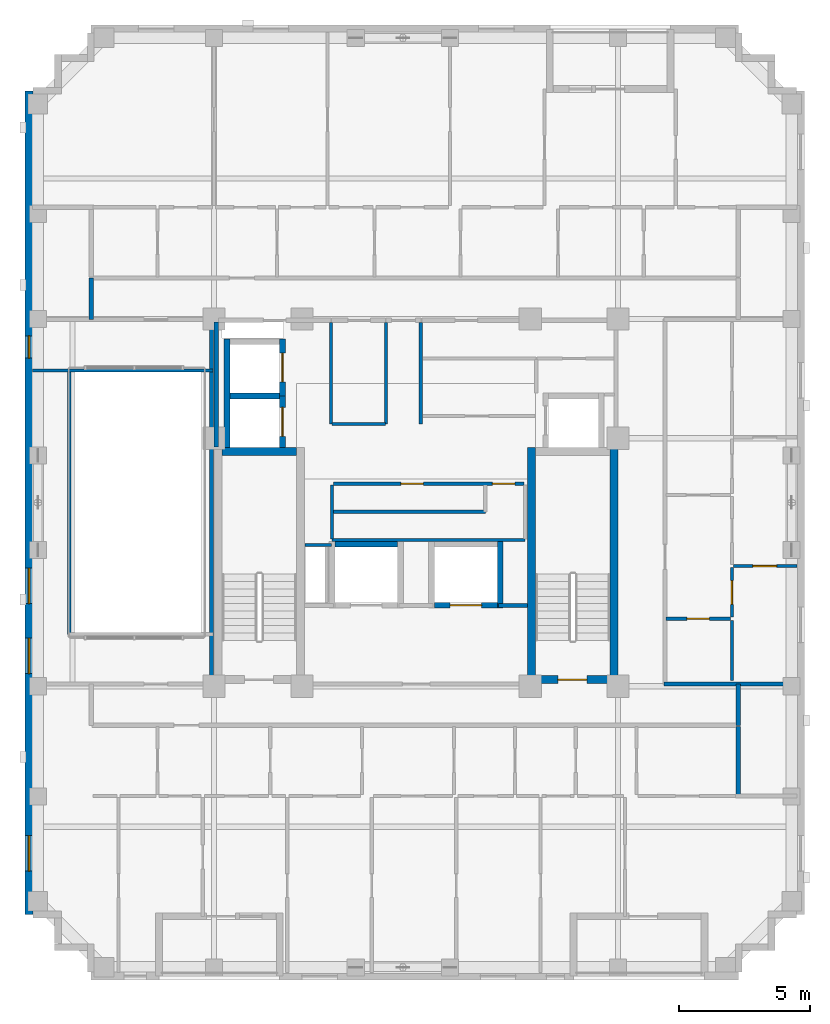
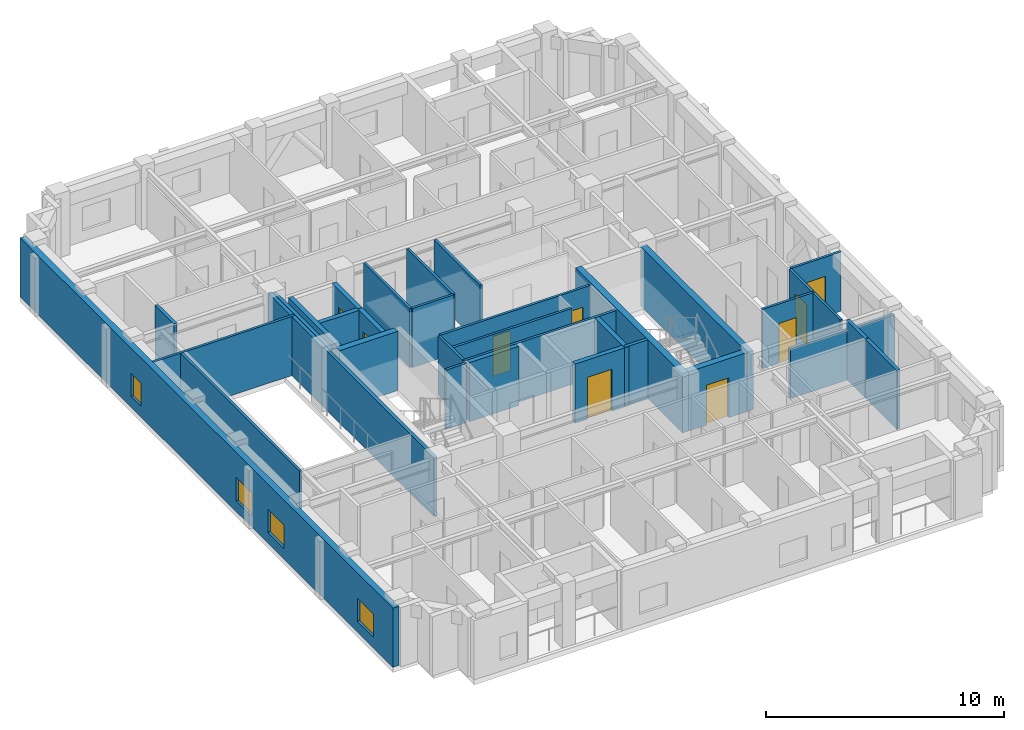
# One storey, part 6 of 13: 34 walls, 9 doors, 4 windows, 13 openings.
"""IFC4 building model written with IfcOpenShell, lengths in metres."""

from ifc_helpers import new_model, si_unit, derived_unit, direction, frame, frame_2d, origin, place, context, subcontext, project, spatial, rectangle, extrude, material, layer, layer_set, type_object, element, fill, save


model = new_model("IFC4")

# Units and contexts
model_context = context("Model", 3, precision=1e-05, world=origin(), true_north=direction((0.0, 1.0)))
body_context = subcontext(model_context, "Body", "Model", "MODEL_VIEW")
ifc_project = project(units=[si_unit("LENGTHUNIT", "METRE"), si_unit("AREAUNIT", "SQUARE_METRE"), si_unit("VOLUMEUNIT", "CUBIC_METRE"), si_unit("PLANEANGLEUNIT", "RADIAN"), si_unit("MASSUNIT", "GRAM", prefix="KILO"), derived_unit("THERMALTRANSMITTANCEUNIT", [(si_unit("MASSUNIT", "GRAM", prefix="KILO"), 1), (si_unit("TIMEUNIT", "SECOND"), -3), (si_unit("THERMODYNAMICTEMPERATUREUNIT", "KELVIN"), -1)])], contexts=[model_context])

# Site, building, storey
site_placement = place(None, origin())
site = spatial("IfcSite", under=ifc_project, at=site_placement, CompositionType="ELEMENT")
building_placement = place(site_placement, origin())
building = spatial("IfcBuilding", under=site, at=building_placement, Name="Korrvale Station Residences", CompositionType="ELEMENT")
storey_placement = place(building_placement, frame((0.0, 0.0, 181.0)))
storey = spatial("IfcBuildingStorey", under=building, at=storey_placement, Name="L52", CompositionType="ELEMENT", Elevation=181.0)

# Walls
ifc_material_1 = material(Name="Concrete C50/60", Category="concrete")
ifc_layer_1 = layer(ifc_material_1, 0.300048828125, Name="Concrete C50/60")
ifc_layer_set_1 = layer_set([ifc_layer_1], Name="Concrete C50/60")
wall_type_1 = type_object("IfcWallType", Name="WAL-CORE-300-C50", PredefinedType="SHEAR", material=ifc_layer_set_1)
wall_1_placement = place(storey_placement, frame((18.10009765625, 23.949951171875, 0.0), z_axis=(0.0, 0.0, 1.0), x_axis=(1.0, 0.0, 0.0)))
element("IfcWall", 1, at=wall_1_placement, inside=storey, type_object=wall_type_1, Name="L52 ST-1 Core Shear Wall North", PredefinedType="SHEAR", context=body_context, shape_type="SweptSolid", body=[
    extrude(rectangle(XDim=2.849853515625, YDim=0.300048828125, at=frame_2d((1.4248046875, 0.0))), origin(), (0.0, 0.0, 1.0), 3.0400390625),
])
for number, where, z_axis, x_axis, name in (
    (2, (29.89990234375, 15.10009765625, 0.0), (0.0, 0.0, 1.0), (0.0, 1.0, 0.0), "L52 ST-2 Core Shear Wall West"),
    (3, (33.050048828125, 15.10009765625, 0.0), (0.0, 0.0, 1.0), (0.0, 1.0, 0.0), "L52 ST-2 Core Shear Wall East"),
):
    element("IfcWall", number, at=place(storey_placement, frame(where, z_axis=z_axis, x_axis=x_axis)), inside=storey, type_object=wall_type_1, Name=name, PredefinedType="SHEAR", context=body_context, shape_type="SweptSolid", body=[
        extrude(rectangle(XDim=9.0, YDim=0.300048828125, at=frame_2d((4.5, 0.0))), origin(), (0.0, 0.0, 1.0), 3.0400390625),
    ])

# Wall, opening, door
wall_2_placement = place(storey_placement, frame((30.050048828125, 15.25, 0.0), z_axis=(0.0, 0.0, 1.0), x_axis=(1.0, 0.0, 0.0)))
wall_2 = element("IfcWall", 4, at=wall_2_placement, inside=storey, type_object=wall_type_1, Name="L52 ST-2 Core Shear Wall South", PredefinedType="SHEAR", context=body_context, shape_type="SweptSolid", body=[
    extrude(rectangle(XDim=2.849853515625, YDim=0.300048828125, at=frame_2d((1.4248046875, 0.0))), origin(), (0.0, 0.0, 1.0), 3.0400390625),
])
opening_1_placement = place(wall_2_placement, frame((0.860107421875, 0.0, 0.0)))
opening_1 = element("IfcOpeningElement", 5, at=opening_1_placement, cuts=wall_2, Name="Opening SD-1100", PredefinedType="OPENING", context=body_context, shape_type="SweptSolid", body=[
    extrude(rectangle(XDim=1.10009765625, YDim=2.050048828125, at=frame_2d((0.550048828125, 1.02490234375))), frame((0.0, 0.16015625, 0.0), z_axis=(0.0, -1.0, 0.0), x_axis=(1.0, 0.0, 0.0)), (0.0, 0.0, 1.0), 0.320068359375),
])
ifc_material_2 = material(Name="Hollow-metal fire-rated stair door with closer", Category="steel")
door_type_1 = type_object("IfcDoorType", Name="DR-STAIR-1100", OperationType="NOTDEFINED", PredefinedType="DOOR", material=ifc_material_2)
door_1_placement = place(opening_1_placement, origin())
door_1 = element("IfcDoor", 6, at=door_1_placement, inside=storey, type_object=door_type_1, Name="L52 ST-2 Exit Stair Door", OperationType="SINGLE_SWING_RIGHT", OverallHeight=2.050048828125, OverallWidth=1.10009765625, PredefinedType="DOOR", context=body_context, shape_type="SweptSolid", body=[
    extrude(rectangle(XDim=1.10009765625, YDim=2.050048828125, at=frame_2d((0.550048828125, 1.02490234375))), frame((0.0, 0.02490234375, 0.0), z_axis=(0.0, -1.0, 0.0), x_axis=(1.0, 0.0, 0.0)), (0.0, 0.0, 1.0), 0.050048828125),
])
fill(opening_1, door_1)

# Wall, openings, windows
ifc_material_3 = material(Name="Precast concrete C45/55", Category="concrete")
ifc_layer_2 = layer(ifc_material_3, 0.300048828125, Name="Precast concrete C45/55")
ifc_layer_set_2 = layer_set([ifc_layer_2], Name="Precast concrete C45/55")
wall_type_2 = type_object("IfcWallType", Name="WAL-EXT-PC300", PredefinedType="SOLIDWALL", material=ifc_layer_set_2)
wall_3_placement = place(storey_placement, frame((10.75, 6.300048828125, 0.0), z_axis=(0.0, 0.0, 1.0), x_axis=(0.0, 1.0, 0.0)))
wall_3 = element("IfcWall", 7, at=wall_3_placement, inside=storey, type_object=wall_type_2, Name="L52 West Exterior Precast Wall 1", PredefinedType="SOLIDWALL", context=body_context, shape_type="SweptSolid", body=[
    extrude(rectangle(XDim=31.39990234375, YDim=0.300048828125, at=frame_2d((15.699951171875, 0.0))), origin(), (0.0, 0.0, 1.0), 3.0400390625),
])
opening_2_placement = place(wall_3_placement, frame((1.653076171875, 0.0, 0.550048828125)))
opening_2 = element("IfcOpeningElement", 8, at=opening_2_placement, cuts=wall_3, Name="Opening W-10", PredefinedType="OPENING", context=body_context, shape_type="SweptSolid", body=[
    extrude(rectangle(XDim=1.35009765625, YDim=1.199951171875, at=frame_2d((0.675048828125, 0.60009765625))), frame((0.0, 0.16015625, 0.0), z_axis=(0.0, -1.0, 0.0), x_axis=(1.0, 0.0, 0.0)), (0.0, 0.0, 1.0), 0.320068359375),
])
opening_3_placement = place(wall_3_placement, frame((11.85009765625, 0.0, 0.550048828125)))
opening_3 = element("IfcOpeningElement", 9, at=opening_3_placement, cuts=wall_3, Name="Opening W-10", PredefinedType="OPENING", context=body_context, shape_type="SweptSolid", body=[
    extrude(rectangle(XDim=1.35009765625, YDim=1.199951171875, at=frame_2d((0.675048828125, 0.60009765625))), frame((0.0, 0.16015625, 0.0), z_axis=(0.0, -1.0, 0.0), x_axis=(1.0, 0.0, 0.0)), (0.0, 0.0, 1.0), 0.320068359375),
])
opening_4_placement = place(wall_3_placement, frame((9.18505859375, 0.0, 0.550048828125)))
opening_4 = element("IfcOpeningElement", 10, at=opening_4_placement, cuts=wall_3, Name="Opening W-10", PredefinedType="OPENING", context=body_context, shape_type="SweptSolid", body=[
    extrude(rectangle(XDim=1.35009765625, YDim=1.199951171875, at=frame_2d((0.675048828125, 0.60009765625))), frame((0.0, 0.16015625, 0.0), z_axis=(0.0, -1.0, 0.0), x_axis=(1.0, 0.0, 0.0)), (0.0, 0.0, 1.0), 0.320068359375),
])
opening_5_placement = place(wall_3_placement, frame((21.208984375, 0.0, 0.550048828125)))
opening_5 = element("IfcOpeningElement", 11, at=opening_5_placement, cuts=wall_3, Name="Opening W-11", PredefinedType="OPENING", context=body_context, shape_type="SweptSolid", body=[
    extrude(rectangle(XDim=0.85009765625, YDim=1.199951171875, at=frame_2d((0.425048828125, 0.60009765625))), frame((0.0, 0.16015625, 0.0), z_axis=(0.0, -1.0, 0.0), x_axis=(1.0, 0.0, 0.0)), (0.0, 0.0, 1.0), 0.320068359375),
])
ifc_material_4 = material(Name="Thermally broken aluminium frame with triple low-e glazing", Category="aluminium")
window_type_1 = type_object("IfcWindowType", Name="WIN-W10", PartitioningType="SINGLE_PANEL", PredefinedType="WINDOW", material=ifc_material_4)
window_1_placement = place(opening_2_placement, origin())
window_1 = element("IfcWindow", 12, at=window_1_placement, inside=storey, type_object=window_type_1, Name="L52 Punched Window 01", OverallHeight=1.199951171875, OverallWidth=1.35009765625, PartitioningType="SINGLE_PANEL", PredefinedType="WINDOW", context=body_context, shape_type="SweptSolid", body=[
    extrude(rectangle(XDim=1.35009765625, YDim=1.199951171875, at=frame_2d((0.675048828125, 0.60009765625))), frame((0.0, 0.030029296875, 0.0), z_axis=(0.0, -1.0, 0.0), x_axis=(1.0, 0.0, 0.0)), (0.0, 0.0, 1.0), 0.06005859375),
])
fill(opening_2, window_1)
window_2_placement = place(opening_3_placement, origin())
window_2 = element("IfcWindow", 13, at=window_2_placement, inside=storey, type_object=window_type_1, Name="L52 Punched Window 15", OverallHeight=1.199951171875, OverallWidth=1.35009765625, PartitioningType="SINGLE_PANEL", PredefinedType="WINDOW", context=body_context, shape_type="SweptSolid", body=[
    extrude(rectangle(XDim=1.35009765625, YDim=1.199951171875, at=frame_2d((0.675048828125, 0.60009765625))), frame((0.0, 0.030029296875, 0.0), z_axis=(0.0, -1.0, 0.0), x_axis=(1.0, 0.0, 0.0)), (0.0, 0.0, 1.0), 0.06005859375),
])
fill(opening_3, window_2)
window_3_placement = place(opening_4_placement, origin())
window_3 = element("IfcWindow", 14, at=window_3_placement, inside=storey, type_object=window_type_1, Name="L52 Punched Window 16", OverallHeight=1.199951171875, OverallWidth=1.35009765625, PartitioningType="SINGLE_PANEL", PredefinedType="WINDOW", context=body_context, shape_type="SweptSolid", body=[
    extrude(rectangle(XDim=1.35009765625, YDim=1.199951171875, at=frame_2d((0.675048828125, 0.60009765625))), frame((0.0, 0.030029296875, 0.0), z_axis=(0.0, -1.0, 0.0), x_axis=(1.0, 0.0, 0.0)), (0.0, 0.0, 1.0), 0.06005859375),
])
fill(opening_4, window_3)
window_type_2 = type_object("IfcWindowType", Name="WIN-W11", PartitioningType="SINGLE_PANEL", PredefinedType="WINDOW", material=ifc_material_4)
window_4_placement = place(opening_5_placement, origin())
window_4 = element("IfcWindow", 15, at=window_4_placement, inside=storey, type_object=window_type_2, Name="L52 Punched Window 17", OverallHeight=1.199951171875, OverallWidth=0.85009765625, PartitioningType="SINGLE_PANEL", PredefinedType="WINDOW", context=body_context, shape_type="SweptSolid", body=[
    extrude(rectangle(XDim=0.85009765625, YDim=1.199951171875, at=frame_2d((0.425048828125, 0.60009765625))), frame((0.0, 0.030029296875, 0.0), z_axis=(0.0, -1.0, 0.0), x_axis=(1.0, 0.0, 0.0)), (0.0, 0.0, 1.0), 0.06005859375),
])
fill(opening_5, window_4)

# Walls
ifc_material_5 = material(Name="Acoustic steel-stud gypsum board partition", Category="steel")
ifc_layer_3 = layer(ifc_material_5, 0.1201171875, Name="Acoustic steel-stud gypsum board partition")
ifc_layer_set_3 = layer_set([ifc_layer_3], Name="Acoustic steel-stud gypsum board partition")
wall_type_3 = type_object("IfcWallType", Name="WAL-PART-125", PredefinedType="PARTITIONING", material=ifc_layer_set_3)
wall_4_placement = place(storey_placement, frame((22.280029296875, 20.3798828125, 0.0), z_axis=(0.0, 0.0, 1.0), x_axis=(-1.0, 0.0, 0.0)))
element("IfcWall", 16, at=wall_4_placement, inside=storey, type_object=wall_type_3, Name="L52 Core Partition CW-RSWT-N", PredefinedType="PARTITIONING", context=body_context, shape_type="SweptSolid", body=[
    extrude(rectangle(XDim=1.02001953125, YDim=0.1201171875, at=frame_2d((0.510009765625, 0.0))), origin(), (0.0, 0.0, 1.0), 3.0400390625),
])
for number, where, z_axis, x_axis, name in (
    (17, (24.360107421875, 25.0, 0.0), (0.0, 0.0, 1.0), (0.0, 1.0, 0.0), "L52 Core Partition CW-PSG-W"),
    (18, (25.679931640625, 25.0, 0.0), (0.0, 0.0, 1.0), (0.0, 1.0, 0.0), "L52 Core Partition CW-PSG-E"),
):
    element("IfcWall", number, at=place(storey_placement, frame(where, z_axis=z_axis, x_axis=x_axis)), inside=storey, type_object=wall_type_3, Name=name, PredefinedType="PARTITIONING", context=body_context, shape_type="SweptSolid", body=[
        extrude(rectangle(XDim=3.8701171875, YDim=0.1201171875, at=frame_2d((1.93505859375, 0.0))), origin(), (0.0, 0.0, 1.0), 3.0400390625),
    ])
wall_5_placement = place(storey_placement, frame((22.260009765625, 25.0, 0.0), z_axis=(0.0, 0.0, 1.0), x_axis=(0.0, 1.0, 0.0)))
element("IfcWall", 19, at=wall_5_placement, inside=storey, type_object=wall_type_3, Name="L52 Core Partition CW-FPLW-W", PredefinedType="PARTITIONING", context=body_context, shape_type="SweptSolid", body=[
    extrude(rectangle(XDim=3.860107421875, YDim=0.1201171875, at=frame_2d((1.93017578125, 0.0))), origin(), (0.0, 0.0, 1.0), 3.0400390625),
])
wall_6_placement = place(storey_placement, frame((22.300048828125, 25.0, 0.0), z_axis=(0.0, 0.0, 1.0), x_axis=(1.0, 0.0, 0.0)))
element("IfcWall", 20, at=wall_6_placement, inside=storey, type_object=wall_type_3, Name="L52 Core Partition CW-FPLW-S", PredefinedType="PARTITIONING", context=body_context, shape_type="SweptSolid", body=[
    extrude(rectangle(XDim=2.0400390625, YDim=0.1201171875, at=frame_2d((1.02001953125, 0.0))), origin(), (0.0, 0.0, 1.0), 3.0400390625),
])
wall_7_placement = place(storey_placement, frame((22.300048828125, 20.580078125, 0.0), z_axis=(0.0, 0.0, 1.0), x_axis=(1.0, 0.0, 0.0)))
element("IfcWall", 21, at=wall_7_placement, inside=storey, type_object=wall_type_3, Name="L52 Core Partition CW-FPM-S", PredefinedType="PARTITIONING", context=body_context, shape_type="SweptSolid", body=[
    extrude(rectangle(XDim=7.349853515625, YDim=0.1201171875, at=frame_2d((3.6748046875, 0.0))), origin(), (0.0, 0.0, 1.0), 3.0400390625),
])
wall_8_placement = place(storey_placement, frame((22.300048828125, 20.6201171875, 0.0), z_axis=(0.0, 0.0, 1.0), x_axis=(0.0, 1.0, 0.0)))
element("IfcWall", 22, at=wall_8_placement, inside=storey, type_object=wall_type_3, Name="L52 Core Partition CW-FPM-W", PredefinedType="PARTITIONING", context=body_context, shape_type="SweptSolid", body=[
    extrude(rectangle(XDim=2.059814453125, YDim=0.1201171875, at=frame_2d((1.02978515625, 0.0))), origin(), (0.0, 0.0, 1.0), 3.0400390625),
])
wall_9_placement = place(storey_placement, frame((22.35009765625, 21.64990234375, 0.0), z_axis=(0.0, 0.0, 1.0), x_axis=(1.0, 0.0, 0.0)))
element("IfcWall", 23, at=wall_9_placement, inside=storey, type_object=wall_type_3, Name="L52 Core Partition CW-FPM-H1", PredefinedType="PARTITIONING", context=body_context, shape_type="SweptSolid", body=[
    extrude(rectangle(XDim=5.789794921875, YDim=0.1201171875, at=frame_2d((2.89501953125, 0.0))), origin(), (0.0, 0.0, 1.0), 3.0400390625),
])

# Wall, openings, doors
wall_10_placement = place(storey_placement, frame((22.35009765625, 22.719970703125, 0.0), z_axis=(0.0, 0.0, 1.0), x_axis=(1.0, 0.0, 0.0)))
wall_10 = element("IfcWall", 24, at=wall_10_placement, inside=storey, type_object=wall_type_3, Name="L52 Core Partition CW-FPM-N", PredefinedType="PARTITIONING", context=body_context, shape_type="SweptSolid", body=[
    extrude(rectangle(XDim=7.27001953125, YDim=0.1201171875, at=frame_2d((3.635009765625, 0.0))), origin(), (0.0, 0.0, 1.0), 3.0400390625),
])
opening_6_placement = place(wall_10_placement, frame((2.570068359375, 0.0, 0.0)))
opening_6 = element("IfcOpeningElement", 25, at=opening_6_placement, cuts=wall_10, Name="Opening DB-860", PredefinedType="OPENING", context=body_context, shape_type="SweptSolid", body=[
    extrude(rectangle(XDim=0.860107421875, YDim=2.050048828125, at=frame_2d((0.43017578125, 1.02490234375))), frame((0.0, 0.070068359375, 0.0), z_axis=(0.0, -1.0, 0.0), x_axis=(1.0, 0.0, 0.0)), (0.0, 0.0, 1.0), 0.14013671875),
])
opening_7_placement = place(wall_10_placement, frame((6.06005859375, 0.0, 0.0)))
opening_7 = element("IfcOpeningElement", 26, at=opening_7_placement, cuts=wall_10, Name="Opening DB-860", PredefinedType="OPENING", context=body_context, shape_type="SweptSolid", body=[
    extrude(rectangle(XDim=0.860107421875, YDim=2.050048828125, at=frame_2d((0.43017578125, 1.02490234375))), frame((0.0, 0.070068359375, 0.0), z_axis=(0.0, -1.0, 0.0), x_axis=(1.0, 0.0, 0.0)), (0.0, 0.0, 1.0), 0.14013671875),
])
ifc_material_6 = material(Name="Moisture-resistant solid-core bathroom door", Category="timber")
door_type_2 = type_object("IfcDoorType", Name="DR-BATH-860", OperationType="NOTDEFINED", PredefinedType="DOOR", material=ifc_material_6)
door_2_placement = place(opening_6_placement, origin())
door_2 = element("IfcDoor", 27, at=door_2_placement, inside=storey, type_object=door_type_2, Name="L52 Sky Pantry Door", OperationType="SINGLE_SWING_LEFT", OverallHeight=2.050048828125, OverallWidth=0.860107421875, PredefinedType="DOOR", context=body_context, shape_type="SweptSolid", body=[
    extrude(rectangle(XDim=0.860107421875, YDim=2.050048828125, at=frame_2d((0.43017578125, 1.02490234375))), frame((0.0, 0.02490234375, 0.0), z_axis=(0.0, -1.0, 0.0), x_axis=(1.0, 0.0, 0.0)), (0.0, 0.0, 1.0), 0.050048828125),
])
fill(opening_6, door_2)
door_3_placement = place(opening_7_placement, origin())
door_3 = element("IfcDoor", 28, at=door_3_placement, inside=storey, type_object=door_type_2, Name="L52 Tableware Store Door", OperationType="SINGLE_SWING_RIGHT", OverallHeight=2.050048828125, OverallWidth=0.860107421875, PredefinedType="DOOR", context=body_context, shape_type="SweptSolid", body=[
    extrude(rectangle(XDim=0.860107421875, YDim=2.050048828125, at=frame_2d((0.43017578125, 1.02490234375))), frame((0.0, 0.02490234375, 0.0), z_axis=(0.0, -1.0, 0.0), x_axis=(1.0, 0.0, 0.0)), (0.0, 0.0, 1.0), 0.050048828125),
])
fill(opening_7, door_3)

# Walls
wall_11_placement = place(storey_placement, frame((12.280029296875, 16.97998046875, 0.0), z_axis=(0.0, 0.0, 1.0), x_axis=(0.0, 1.0, 0.0)))
element("IfcWall", 29, at=wall_11_placement, inside=storey, type_object=wall_type_3, Name="L52 Atrium West Void Screen Wall", PredefinedType="PARTITIONING", context=body_context, shape_type="SweptSolid", body=[
    extrude(rectangle(XDim=10.0400390625, YDim=0.1201171875, at=frame_2d((5.02001953125, 0.0))), origin(), (0.0, 0.0, 1.0), 3.0400390625),
])
wall_12_placement = place(storey_placement, frame((10.8798828125, 27.0400390625, 0.0), z_axis=(0.0, 0.0, 1.0), x_axis=(1.0, 0.0, 0.0)))
element("IfcWall", 30, at=wall_12_placement, inside=storey, type_object=wall_type_3, Name="L52 Atrium Salon Void Wall", PredefinedType="PARTITIONING", context=body_context, shape_type="SweptSolid", body=[
    extrude(rectangle(XDim=6.880126953125, YDim=0.1201171875, at=frame_2d((3.43994140625, 0.0))), origin(), (0.0, 0.0, 1.0), 3.0400390625),
])

# Wall, opening, door
wall_13_placement = place(storey_placement, frame((35.030029296875, 17.570068359375, 0.0), z_axis=(0.0, 0.0, 1.0), x_axis=(1.0, 0.0, 0.0)))
wall_13 = element("IfcWall", 31, at=wall_13_placement, inside=storey, type_object=wall_type_3, Name="L52 Suite Partition U03-H12", PredefinedType="PARTITIONING", context=body_context, shape_type="SweptSolid", body=[
    extrude(rectangle(XDim=2.449951171875, YDim=0.1201171875, at=frame_2d((1.22509765625, 0.0))), origin(), (0.0, 0.0, 1.0), 3.0400390625),
])
opening_8_placement = place(wall_13_placement, frame((0.794921875, 0.0, 0.0)))
opening_8 = element("IfcOpeningElement", 32, at=opening_8_placement, cuts=wall_13, Name="Opening DB-860", PredefinedType="OPENING", context=body_context, shape_type="SweptSolid", body=[
    extrude(rectangle(XDim=0.860107421875, YDim=2.050048828125, at=frame_2d((0.43017578125, 1.02490234375))), frame((0.0, 0.070068359375, 0.0), z_axis=(0.0, -1.0, 0.0), x_axis=(1.0, 0.0, 0.0)), (0.0, 0.0, 1.0), 0.14013671875),
])
door_4_placement = place(opening_8_placement, origin())
door_4 = element("IfcDoor", 33, at=door_4_placement, inside=storey, type_object=door_type_2, Name="L52 Apartment 2BR L52-U03 Bathroom Door", OperationType="SINGLE_SWING_LEFT", OverallHeight=2.050048828125, OverallWidth=0.860107421875, PredefinedType="DOOR", context=body_context, shape_type="SweptSolid", body=[
    extrude(rectangle(XDim=0.860107421875, YDim=2.050048828125, at=frame_2d((0.43017578125, 1.02490234375))), frame((0.0, 0.02490234375, 0.0), z_axis=(0.0, -1.0, 0.0), x_axis=(1.0, 0.0, 0.0)), (0.0, 0.0, 1.0), 0.050048828125),
])
fill(opening_8, door_4)

# Wall
wall_14_placement = place(storey_placement, frame((37.5400390625, 15.2099609375, 0.0), z_axis=(0.0, 0.0, 1.0), x_axis=(0.0, 1.0, 0.0)))
element("IfcWall", 34, at=wall_14_placement, inside=storey, type_object=wall_type_3, Name="L52 Suite Partition U03-V13", PredefinedType="PARTITIONING", context=body_context, shape_type="SweptSolid", body=[
    extrude(rectangle(XDim=2.300048828125, YDim=0.1201171875, at=frame_2d((1.14990234375, 0.0))), origin(), (0.0, 0.0, 1.0), 3.0400390625),
])

# Wall, opening, door
wall_15_placement = place(storey_placement, frame((37.5400390625, 17.6298828125, 0.0), z_axis=(0.0, 0.0, 1.0), x_axis=(0.0, 1.0, 0.0)))
wall_15 = element("IfcWall", 35, at=wall_15_placement, inside=storey, type_object=wall_type_3, Name="L52 Suite Partition U03-V23", PredefinedType="PARTITIONING", context=body_context, shape_type="SweptSolid", body=[
    extrude(rectangle(XDim=1.88818359375, YDim=0.1201171875, at=frame_2d((0.944091796875, 0.0))), origin(), (0.0, 0.0, 1.0), 3.0400390625),
])
opening_9_placement = place(wall_15_placement, frame((0.493896484375, 0.0, 0.0)))
opening_9 = element("IfcOpeningElement", 36, at=opening_9_placement, cuts=wall_15, Name="Opening DI-900", PredefinedType="OPENING", context=body_context, shape_type="SweptSolid", body=[
    extrude(rectangle(XDim=0.89990234375, YDim=2.050048828125, at=frame_2d((0.449951171875, 1.02490234375))), frame((0.0, 0.070068359375, 0.0), z_axis=(0.0, -1.0, 0.0), x_axis=(1.0, 0.0, 0.0)), (0.0, 0.0, 1.0), 0.14013671875),
])
ifc_material_7 = material(Name="Painted solid-core timber interior room door", Category="wood")
door_type_3 = type_object("IfcDoorType", Name="DR-INT-900", OperationType="NOTDEFINED", PredefinedType="DOOR", material=ifc_material_7)
door_5_placement = place(opening_9_placement, origin())
door_5 = element("IfcDoor", 37, at=door_5_placement, inside=storey, type_object=door_type_3, Name="L52 Apartment 2BR L52-U03 Kitchen Door", OperationType="SINGLE_SWING_RIGHT", OverallHeight=2.050048828125, OverallWidth=0.89990234375, PredefinedType="DOOR", context=body_context, shape_type="SweptSolid", body=[
    extrude(rectangle(XDim=0.89990234375, YDim=2.050048828125, at=frame_2d((0.449951171875, 1.02490234375))), frame((0.0, 0.02490234375, 0.0), z_axis=(0.0, -1.0, 0.0), x_axis=(1.0, 0.0, 0.0)), (0.0, 0.0, 1.0), 0.050048828125),
])
fill(opening_9, door_5)

wall_16_placement = place(storey_placement, frame((37.60009765625, 19.577880859375, 0.0), z_axis=(0.0, 0.0, 1.0), x_axis=(1.0, 0.0, 0.0)))
wall_16 = element("IfcWall", 38, at=wall_16_placement, inside=storey, type_object=wall_type_3, Name="L52 Suite Partition U03-H34", PredefinedType="PARTITIONING", context=body_context, shape_type="SweptSolid", body=[
    extrude(rectangle(XDim=2.419921875, YDim=0.1201171875, at=frame_2d((1.2099609375, 0.0))), origin(), (0.0, 0.0, 1.0), 3.0400390625),
])
opening_10_placement = place(wall_16_placement, frame((0.7451171875, 0.0, 0.0)))
opening_10 = element("IfcOpeningElement", 39, at=opening_10_placement, cuts=wall_16, Name="Opening DI-900", PredefinedType="OPENING", context=body_context, shape_type="SweptSolid", body=[
    extrude(rectangle(XDim=0.89990234375, YDim=2.050048828125, at=frame_2d((0.449951171875, 1.02490234375))), frame((0.0, 0.070068359375, 0.0), z_axis=(0.0, -1.0, 0.0), x_axis=(1.0, 0.0, 0.0)), (0.0, 0.0, 1.0), 0.14013671875),
])
door_6_placement = place(opening_10_placement, origin())
door_6 = element("IfcDoor", 40, at=door_6_placement, inside=storey, type_object=door_type_3, Name="L52 Apartment 2BR L52-U03 Bedroom 1 Door", OperationType="SINGLE_SWING_RIGHT", OverallHeight=2.050048828125, OverallWidth=0.89990234375, PredefinedType="DOOR", context=body_context, shape_type="SweptSolid", body=[
    extrude(rectangle(XDim=0.89990234375, YDim=2.050048828125, at=frame_2d((0.449951171875, 1.02490234375))), frame((0.0, 0.02490234375, 0.0), z_axis=(0.0, -1.0, 0.0), x_axis=(1.0, 0.0, 0.0)), (0.0, 0.0, 1.0), 0.050048828125),
])
fill(opening_10, door_6)

# Walls
ifc_material_8 = material(Name="Fire-rated twin-stud gypsum and mineral wool shaftwall assembly", Category="gypsum")
ifc_layer_4 = layer(ifc_material_8, 0.159912109375, Name="Fire-rated twin-stud gypsum and mineral wool shaftwall assembly")
ifc_layer_set_4 = layer_set([ifc_layer_4], Name="Fire-rated twin-stud gypsum and mineral wool shaftwall assembly")
wall_type_4 = type_object("IfcWallType", Name="WAL-PART-200", PredefinedType="PARTITIONING", material=ifc_layer_set_4)
wall_17_placement = place(storey_placement, frame((28.64990234375, 18.080078125, 0.0), z_axis=(0.0, 0.0, 1.0), x_axis=(1.0, 0.0, 0.0)))
element("IfcWall", 41, at=wall_17_placement, inside=storey, type_object=wall_type_4, Name="L52 Core Partition CW-FFL-N3", PredefinedType="PARTITIONING", context=body_context, shape_type="SweptSolid", body=[
    extrude(rectangle(XDim=1.10009765625, YDim=0.159912109375, at=frame_2d((0.550048828125, 0.0))), origin(), (0.0, 0.0, 1.0), 3.0400390625),
])
wall_18_placement = place(storey_placement, frame((17.8798828125, 24.1201171875, 0.0), z_axis=(0.0, 0.0, 1.0), x_axis=(0.0, 1.0, 0.0)))
element("IfcWall", 42, at=wall_18_placement, inside=storey, type_object=wall_type_4, Name="L52 Core Partition CW-W-N", PredefinedType="PARTITIONING", context=body_context, shape_type="SweptSolid", body=[
    extrude(rectangle(XDim=4.759765625, YDim=0.159912109375, at=frame_2d((2.3798828125, 0.0))), origin(), (0.0, 0.0, 1.0), 3.0400390625),
])
for number, where, z_axis, x_axis, name in (
    (43, (37.780029296875, 13.510009765625, 0.0), (0.0, 0.0, 1.0), (0.0, 1.0, 0.0), "L52 Corridor South East Cap"),
    (44, (13.1201171875, 28.97998046875, 0.0), (0.0, 0.0, 1.0), (0.0, 1.0, 0.0), "L52 Corridor North West Cap"),
):
    element("IfcWall", number, at=place(storey_placement, frame(where, z_axis=z_axis, x_axis=x_axis)), inside=storey, type_object=wall_type_4, Name=name, PredefinedType="PARTITIONING", context=body_context, shape_type="SweptSolid", body=[
        extrude(rectangle(XDim=1.580078125, YDim=0.159912109375, at=frame_2d((0.7900390625, 0.0))), origin(), (0.0, 0.0, 1.0), 3.0400390625),
    ])
wall_19_placement = place(storey_placement, frame((34.949951171875, 15.090087890625, 0.0), z_axis=(0.0, 0.0, 1.0), x_axis=(1.0, 0.0, 0.0)))
element("IfcWall", 45, at=wall_19_placement, inside=storey, type_object=wall_type_4, Name="L52 East Wing South Corridor Wall", PredefinedType="PARTITIONING", context=body_context, shape_type="SweptSolid", body=[
    extrude(rectangle(XDim=5.070068359375, YDim=0.159912109375, at=frame_2d((2.53515625, 0.0))), origin(), (0.0, 0.0, 1.0), 2.555908203125),
])
wall_20_placement = place(storey_placement, frame((37.780029296875, 10.81005859375, 0.0), z_axis=(0.0, 0.0, 1.0), x_axis=(0.0, 1.0, 0.0)))
element("IfcWall", 46, at=wall_20_placement, inside=storey, type_object=wall_type_4, Name="L52 Corner Step Cheek U01-R", PredefinedType="PARTITIONING", context=body_context, shape_type="SweptSolid", body=[
    extrude(rectangle(XDim=2.659912109375, YDim=0.159912109375, at=frame_2d((1.330078125, 0.0))), origin(), (0.0, 0.0, 1.0), 3.0400390625),
])
wall_21_placement = place(storey_placement, frame((17.699951171875, 15.02001953125, 0.0), z_axis=(0.0, 0.0, 1.0), x_axis=(0.0, 1.0, 0.0)))
element("IfcWall", 47, at=wall_21_placement, inside=storey, type_object=wall_type_4, Name="L52 Rated Corridor Wall W", PredefinedType="PARTITIONING", context=body_context, shape_type="SweptSolid", body=[
    extrude(rectangle(XDim=13.97998046875, YDim=0.159912109375, at=frame_2d((6.989990234375, 0.0))), origin(), (0.0, 0.0, 1.0), 3.0400390625),
])
ifc_layer_5 = layer(ifc_material_1, 0.219970703125, Name="Concrete C50/60")
ifc_layer_set_5 = layer_set([ifc_layer_5], Name="Concrete C50/60")
wall_type_5 = type_object("IfcWallType", Name="WAL-SHAFT-220-C50", PredefinedType="SHEAR", material=ifc_layer_set_5)
wall_22_placement = place(storey_placement, frame((18.2900390625, 24.10009765625, 0.0), z_axis=(0.0, 0.0, 1.0), x_axis=(0.0, 1.0, 0.0)))
element("IfcWall", 48, at=wall_22_placement, inside=storey, type_object=wall_type_5, Name="L52 Elevator PH-1 Hoistway Wall West", PredefinedType="SHEAR", context=body_context, shape_type="SweptSolid", body=[
    extrude(rectangle(XDim=4.139892578125, YDim=0.219970703125, at=frame_2d((2.06982421875, 0.0))), origin(), (0.0, 0.0, 1.0), 3.0400390625),
])

# Wall, opening, door
wall_23_placement = place(storey_placement, frame((20.409912109375, 24.10009765625, 0.0), z_axis=(0.0, 0.0, 1.0), x_axis=(0.0, 1.0, 0.0)))
wall_23 = element("IfcWall", 49, at=wall_23_placement, inside=storey, type_object=wall_type_5, Name="L52 Elevator PH-1 Hoistway Wall East", PredefinedType="SHEAR", context=body_context, shape_type="SweptSolid", body=[
    extrude(rectangle(XDim=1.9599609375, YDim=0.219970703125, at=frame_2d((0.97998046875, 0.0))), origin(), (0.0, 0.0, 1.0), 3.0400390625),
])
opening_11_placement = place(wall_23_placement, frame((0.429931640625, 0.0, 0.0)))
opening_11 = element("IfcOpeningElement", 50, at=opening_11_placement, cuts=wall_23, Name="Opening LD-1100", PredefinedType="OPENING", context=body_context, shape_type="SweptSolid", body=[
    extrude(rectangle(XDim=1.10009765625, YDim=2.14990234375, at=frame_2d((0.550048828125, 1.074951171875))), frame((0.0, 0.1201171875, 0.0), z_axis=(0.0, -1.0, 0.0), x_axis=(1.0, 0.0, 0.0)), (0.0, 0.0, 1.0), 0.239990234375),
])
ifc_material_9 = material(Name="Brushed stainless-steel elevator landing sliding door", Category="steel")
door_type_4 = type_object("IfcDoorType", Name="DR-LIFT-1100", OperationType="SLIDING_TO_LEFT", PredefinedType="DOOR", material=ifc_material_9)
door_7_placement = place(opening_11_placement, origin())
door_7 = element("IfcDoor", 51, at=door_7_placement, inside=storey, type_object=door_type_4, Name="L52 Elevator PH-1 Sliding Landing Door", OperationType="SLIDING_TO_LEFT", OverallHeight=2.14990234375, OverallWidth=1.10009765625, PredefinedType="DOOR", context=body_context, shape_type="SweptSolid", body=[
    extrude(rectangle(XDim=1.10009765625, YDim=2.14990234375, at=frame_2d((0.550048828125, 1.074951171875))), frame((0.0, 0.02490234375, 0.0), z_axis=(0.0, -1.0, 0.0), x_axis=(1.0, 0.0, 0.0)), (0.0, 0.0, 1.0), 0.050048828125),
])
fill(opening_11, door_7)

# Wall
wall_24_placement = place(storey_placement, frame((18.39990234375, 26.06005859375, 0.0), z_axis=(0.0, 0.0, 1.0), x_axis=(1.0, 0.0, 0.0)))
element("IfcWall", 52, at=wall_24_placement, inside=storey, type_object=wall_type_5, Name="L52 Elevator PH-2 Hoistway Wall South", PredefinedType="SHEAR", context=body_context, shape_type="SweptSolid", body=[
    extrude(rectangle(XDim=1.900146484375, YDim=0.219970703125, at=frame_2d((0.9501953125, 0.0))), origin(), (0.0, 0.0, 1.0), 3.0400390625),
])

# Wall, opening, door
wall_25_placement = place(storey_placement, frame((20.409912109375, 26.06005859375, 0.0), z_axis=(0.0, 0.0, 1.0), x_axis=(0.0, 1.0, 0.0)))
wall_25 = element("IfcWall", 53, at=wall_25_placement, inside=storey, type_object=wall_type_5, Name="L52 Elevator PH-2 Hoistway Wall East", PredefinedType="SHEAR", context=body_context, shape_type="SweptSolid", body=[
    extrude(rectangle(XDim=2.179931640625, YDim=0.219970703125, at=frame_2d((1.08984375, 0.0))), origin(), (0.0, 0.0, 1.0), 3.0400390625),
])
opening_12_placement = place(wall_25_placement, frame((0.5400390625, 0.0, 0.0)))
opening_12 = element("IfcOpeningElement", 54, at=opening_12_placement, cuts=wall_25, Name="Opening LD-1100", PredefinedType="OPENING", context=body_context, shape_type="SweptSolid", body=[
    extrude(rectangle(XDim=1.10009765625, YDim=2.14990234375, at=frame_2d((0.550048828125, 1.074951171875))), frame((0.0, 0.1201171875, 0.0), z_axis=(0.0, -1.0, 0.0), x_axis=(1.0, 0.0, 0.0)), (0.0, 0.0, 1.0), 0.239990234375),
])
door_8_placement = place(opening_12_placement, origin())
door_8 = element("IfcDoor", 55, at=door_8_placement, inside=storey, type_object=door_type_4, Name="L52 Elevator PH-2 Sliding Landing Door", OperationType="SLIDING_TO_LEFT", OverallHeight=2.14990234375, OverallWidth=1.10009765625, PredefinedType="DOOR", context=body_context, shape_type="SweptSolid", body=[
    extrude(rectangle(XDim=1.10009765625, YDim=2.14990234375, at=frame_2d((0.550048828125, 1.074951171875))), frame((0.0, 0.02490234375, 0.0), z_axis=(0.0, -1.0, 0.0), x_axis=(1.0, 0.0, 0.0)), (0.0, 0.0, 1.0), 0.050048828125),
])
fill(opening_12, door_8)

# Wall
wall_26_placement = place(storey_placement, frame((22.39990234375, 20.409912109375, 0.0), z_axis=(0.0, 0.0, 1.0), x_axis=(1.0, 0.0, 0.0)))
element("IfcWall", 56, at=wall_26_placement, inside=storey, type_object=wall_type_5, Name="L52 Elevator FFL-1 Hoistway Wall North", PredefinedType="SHEAR", context=body_context, shape_type="SweptSolid", body=[
    extrude(rectangle(XDim=2.400146484375, YDim=0.219970703125, at=frame_2d((1.2001953125, 0.0))), origin(), (0.0, 0.0, 1.0), 3.0400390625),
])

# Wall, opening, door
wall_27_placement = place(storey_placement, frame((26.199951171875, 18.090087890625, 0.0), z_axis=(0.0, 0.0, 1.0), x_axis=(1.0, 0.0, 0.0)))
wall_27 = element("IfcWall", 57, at=wall_27_placement, inside=storey, type_object=wall_type_5, Name="L52 Elevator FFL-2 Hoistway Wall South", PredefinedType="SHEAR", context=body_context, shape_type="SweptSolid", body=[
    extrude(rectangle(XDim=2.400146484375, YDim=0.219970703125, at=frame_2d((1.2001953125, 0.0))), origin(), (0.0, 0.0, 1.0), 3.0400390625),
])
opening_13_placement = place(wall_27_placement, frame((0.60009765625, 0.0, 0.0)))
opening_13 = element("IfcOpeningElement", 58, at=opening_13_placement, cuts=wall_27, Name="Opening LD-FF1200", PredefinedType="OPENING", context=body_context, shape_type="SweptSolid", body=[
    extrude(rectangle(XDim=1.199951171875, YDim=2.14990234375, at=frame_2d((0.60009765625, 1.074951171875))), frame((0.0, 0.1201171875, 0.0), z_axis=(0.0, -1.0, 0.0), x_axis=(1.0, 0.0, 0.0)), (0.0, 0.0, 1.0), 0.239990234375),
])
ifc_material_10 = material(Name="Stainless-steel firefighter elevator landing sliding door", Category="steel")
door_type_5 = type_object("IfcDoorType", Name="DR-LIFT-FF1200", OperationType="SLIDING_TO_LEFT", PredefinedType="DOOR", material=ifc_material_10)
door_9_placement = place(opening_13_placement, origin())
door_9 = element("IfcDoor", 59, at=door_9_placement, inside=storey, type_object=door_type_5, Name="L52 Elevator FFL-2 Sliding Landing Door", OperationType="SLIDING_TO_LEFT", OverallHeight=2.14990234375, OverallWidth=1.199951171875, PredefinedType="DOOR", context=body_context, shape_type="SweptSolid", body=[
    extrude(rectangle(XDim=1.199951171875, YDim=2.14990234375, at=frame_2d((0.60009765625, 1.074951171875))), frame((0.0, 0.02490234375, 0.0), z_axis=(0.0, -1.0, 0.0), x_axis=(1.0, 0.0, 0.0)), (0.0, 0.0, 1.0), 0.050048828125),
])
fill(opening_13, door_9)

# Wall
wall_28_placement = place(storey_placement, frame((28.7099609375, 17.97998046875, 0.0), z_axis=(0.0, 0.0, 1.0), x_axis=(0.0, 1.0, 0.0)))
element("IfcWall", 60, at=wall_28_placement, inside=storey, type_object=wall_type_5, Name="L52 Elevator FFL-2 Hoistway Wall East", PredefinedType="SHEAR", context=body_context, shape_type="SweptSolid", body=[
    extrude(rectangle(XDim=2.5400390625, YDim=0.219970703125, at=frame_2d((1.27001953125, 0.0))), origin(), (0.0, 0.0, 1.0), 3.0400390625),
])

save(model, "model.ifc")
